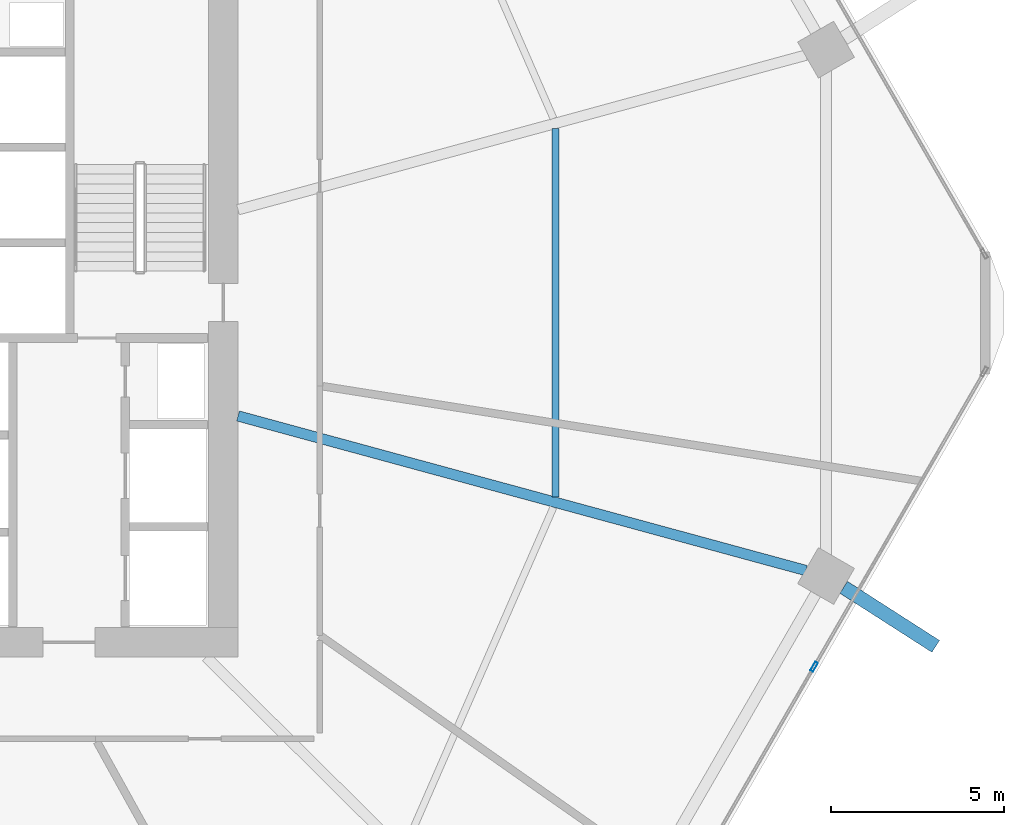
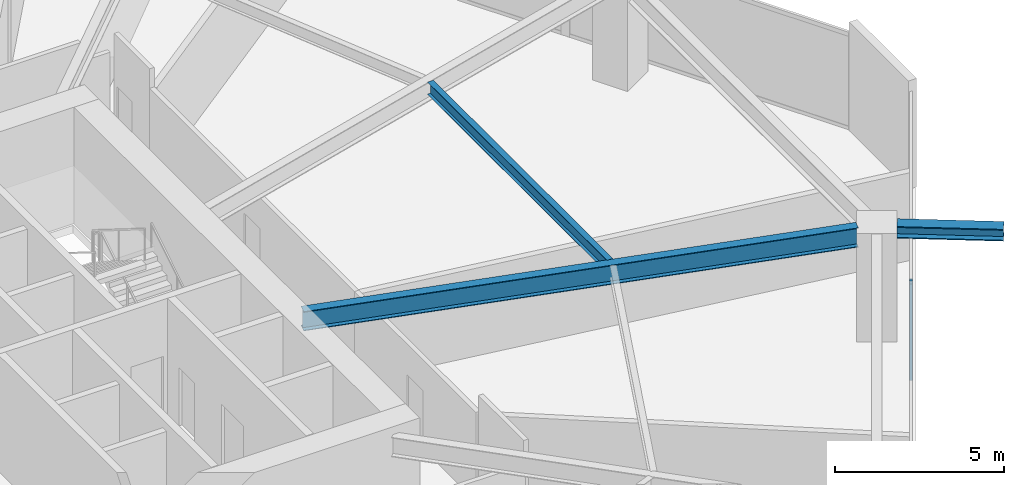
# One storey, part 11 of 26: 3 beams, 1 member, 1 element without a shape of its own.
"""IFC4 building model written with IfcOpenShell, lengths in metres."""

import ifcopenshell
import ifcopenshell.guid

model = None  # the IFC model being written
_history = None  # IfcOwnerHistory: only IFC2X3 demands one
_inside = {}  # id of a spatial element -> (the spatial element, [elements in it])
_under = {}  # id of a project, library or spatial element -> (it, [spatial elements below it])
_declared = {}  # id of a project -> (the project, [libraries it declares])
_typed = {}  # id of a type object -> (the type object, [elements of that type])
_made_of = {}  # id of a material, layer set ... -> (it, [elements and type objects made of it])


def new_model(schema):
    """Start an empty IFC model of exactly this schema.

    Asked for "IFC4X3", IfcOpenShell would pick the latest addendum, in which some entities
    have other attributes; the version numbers below select the first issue.
    IFC2X3 requires an IfcOwnerHistory on every rooted entity: one is made here for all.
    """
    global model, _history
    if schema == "IFC4X3":
        model = ifcopenshell.file(schema_version=(4, 3, 0, 0))
    else:
        model = ifcopenshell.file(schema=schema)
    _inside.clear()
    _under.clear()
    _declared.clear()
    _typed.clear()
    _made_of.clear()
    _history = None
    if model.schema == "IFC2X3":
        org = make("IfcOrganization", Name="unknown")
        user = make(
            "IfcPersonAndOrganization",
            ThePerson=make("IfcPerson", FamilyName="unknown"),
            TheOrganization=org,
        )
        app = make(
            "IfcApplication",
            ApplicationDeveloper=org,
            Version="unknown",
            ApplicationFullName="unknown",
            ApplicationIdentifier="unknown",
        )
        _history = make(
            "IfcOwnerHistory",
            OwningUser=user,
            OwningApplication=app,
            ChangeAction="ADDED",
            CreationDate=0,
        )
    return model


def make(cls, **values):
    """One entity of the class cls with the attributes given. An attribute that is None is left unset."""
    return model.create_entity(
        cls, **{name: value for name, value in values.items() if value is not None}
    )


def rooted(cls, **values):
    """An entity with a GlobalId (a new one), such as an element, a storey or a relation."""
    return make(cls, GlobalId=ifcopenshell.guid.new(), OwnerHistory=_history, **values)


def si_unit(unit_type, name, prefix=None):
    """IfcSIUnit, for example si_unit("LENGTHUNIT", "METRE", prefix="MILLI")."""
    return make("IfcSIUnit", UnitType=unit_type, Prefix=prefix, Name=name)


def assignment(units):
    """IfcUnitAssignment: the units of a project."""
    return None if units is None else make("IfcUnitAssignment", Units=units)


def point(xyz):
    """IfcCartesianPoint."""
    return None if xyz is None else make("IfcCartesianPoint", Coordinates=xyz)


def direction(xyz):
    """IfcDirection."""
    return None if xyz is None else make("IfcDirection", DirectionRatios=xyz)


def frame(location, z_axis=None, x_axis=None):
    """IfcAxis2Placement3D, a coordinate frame: its origin and axes. An axis left out is left unset."""
    return make(
        "IfcAxis2Placement3D",
        Location=point(location),
        Axis=direction(z_axis),
        RefDirection=direction(x_axis),
    )


def frame_2d(location, x_axis=None):
    """IfcAxis2Placement2D, a coordinate frame in the plane: its origin and x axis."""
    return make(
        "IfcAxis2Placement2D", Location=point(location), RefDirection=direction(x_axis)
    )


def origin():
    """The frame at (0, 0, 0) with its axes left unset."""
    return frame((0.0, 0.0, 0.0))


def origin_2d():
    """The frame at (0, 0) in the plane with its x axis left unset."""
    return frame_2d((0.0, 0.0))


def place(relative_to, where):
    """IfcLocalPlacement: puts the frame where relative to a parent placement (None: the world)."""
    return make(
        "IfcLocalPlacement", PlacementRelTo=relative_to, RelativePlacement=where
    )


def context(
    kind, dimensions, precision=None, world=None, true_north=None, identifier=None
):
    """IfcGeometricRepresentationContext, for example the 3D "Model" context."""
    return make(
        "IfcGeometricRepresentationContext",
        ContextIdentifier=identifier,
        ContextType=kind,
        CoordinateSpaceDimension=dimensions,
        Precision=precision,
        WorldCoordinateSystem=world,
        TrueNorth=true_north,
    )


def subcontext(parent, identifier, kind, view, scale=None):
    """IfcGeometricRepresentationSubContext, for example "Body" below "Model"."""
    return make(
        "IfcGeometricRepresentationSubContext",
        ContextIdentifier=identifier,
        ContextType=kind,
        ParentContext=parent,
        TargetScale=scale,
        TargetView=view,
    )


def project(units=None, contexts=None):
    """IfcProject with its units and contexts."""
    return rooted(
        "IfcProject",
        Name="project",
        RepresentationContexts=contexts,
        UnitsInContext=assignment(units),
    )


def spatial(cls, under=None, at=None, **own):
    """A site, building, storey or space (cls), placed at a placement, below another one or the project."""
    s = rooted(cls, ObjectPlacement=at, **own)
    if under is not None:
        _under.setdefault(under.id(), (under, []))[1].append(s)
    return s


def profile(cls, at=None, kind="AREA", **sizes):
    """A parametric profile (cls). Its sizes go by their IFC names, for example OverallWidth=200.0."""
    return make(cls, ProfileType=kind, Position=at, **sizes)


def hollow_rectangle(**sizes):
    """IfcRectangleHollowProfileDef."""
    return profile("IfcRectangleHollowProfileDef", **sizes)


def i_section(**sizes):
    """IfcIShapeProfileDef."""
    return profile("IfcIShapeProfileDef", **sizes)


def extrude(swept, where, along, depth):
    """IfcExtrudedAreaSolid: the profile swept, set in the frame where, extruded along a direction by depth."""
    return make(
        "IfcExtrudedAreaSolid",
        SweptArea=swept,
        Position=where,
        ExtrudedDirection=direction(along),
        Depth=depth,
    )


def shape(context_of_items, identifier, shape_type, items):
    """IfcShapeRepresentation: the items that make up one representation, for example the "Body"."""
    return make(
        "IfcShapeRepresentation",
        ContextOfItems=context_of_items,
        RepresentationIdentifier=identifier,
        RepresentationType=shape_type,
        Items=items,
    )


def material(Name=None, Category=None):
    """IfcMaterial."""
    return make("IfcMaterial", Name=Name, Category=Category)


def material_profile(
    of_material, cross_section, Name=None, Category=None, Priority=None
):
    """IfcMaterialProfile: a cross section and its material."""
    return make(
        "IfcMaterialProfile",
        Name=Name,
        Material=of_material,
        Profile=cross_section,
        Priority=Priority,
        Category=Category,
    )


def profile_set(profiles, Name=None, composite=None):
    """IfcMaterialProfileSet."""
    return make(
        "IfcMaterialProfileSet",
        Name=Name,
        MaterialProfiles=profiles,
        CompositeProfile=composite,
    )


def made_of(thing, what):
    """Note that an element or type object is made of a material, layer set ...; save() writes the relation."""
    if what is not None:
        _made_of.setdefault(what.id(), (what, []))[1].append(thing)
    return thing


def type_object(cls, material=None, **own):
    """A type object (cls), such as IfcWallType, which elements share."""
    return made_of(rooted(cls, **own), material)


def element(
    cls,
    number,
    at=None,
    inside=None,
    cuts=None,
    type_object=None,
    material=None,
    context=None,
    identifier="Body",
    shape_type=None,
    held_by="IfcProductDefinitionShape",
    body=None,
    shapes=None,
    **own,
):
    """One element of the class cls, such as IfcWall. Its Tag is "e" and its number.

    at: its placement. inside: the storey or other place that contains it. cuts: it is an
    opening in that element (IfcRelVoidsElement). A single representation is given by context,
    identifier, shape_type and body (its items); several are given by shapes. held_by: the class
    of the entity that holds the representations. save() writes the other relations.
    """
    e = rooted(cls, Tag="e%d" % number, ObjectPlacement=at, **own)
    if body is not None:
        shapes = [shape(context, identifier, shape_type, body)]
    if shapes is not None:
        e.Representation = make(held_by, Representations=shapes)
    if inside is not None:
        _inside.setdefault(inside.id(), (inside, []))[1].append(e)
    if cuts is not None:
        rooted(
            "IfcRelVoidsElement", RelatingBuildingElement=cuts, RelatedOpeningElement=e
        )
    if type_object is not None:
        _typed.setdefault(type_object.id(), (type_object, []))[1].append(e)
    return made_of(e, material)


def aggregate(whole, parts):
    """IfcRelAggregates: a whole, such as a stair, and the parts it consists of."""
    return rooted("IfcRelAggregates", RelatingObject=whole, RelatedObjects=parts)


def save(model, path):
    """Write the relations noted so far, then the file.

    IfcRelAggregates (storeys below a building ...), IfcRelContainedInSpatialStructure (elements
    in a storey), IfcRelDefinesByType, IfcRelAssociatesMaterial and IfcRelDeclares: one each for
    every whole, place, type object, material and project.
    """
    for whole, parts in _under.values():
        aggregate(whole, parts)
    for where, things in _inside.values():
        rooted(
            "IfcRelContainedInSpatialStructure",
            RelatedElements=things,
            RelatingStructure=where,
        )
    for kind, things in _typed.values():
        rooted("IfcRelDefinesByType", RelatedObjects=things, RelatingType=kind)
    for what, things in _made_of.values():
        rooted("IfcRelAssociatesMaterial", RelatedObjects=things, RelatingMaterial=what)
    for by, libraries in _declared.values():
        rooted("IfcRelDeclares", RelatingContext=by, RelatedDefinitions=libraries)
    model.write(path)


model = new_model("IFC4")

# Units and contexts
model_context = context("Model", 3, precision=1e-05, world=origin(), true_north=direction((0.0, 1.0)))
body_context = subcontext(model_context, "Body", "Model", "MODEL_VIEW")
ifc_project = project(units=[si_unit("LENGTHUNIT", "METRE"), si_unit("AREAUNIT", "SQUARE_METRE"), si_unit("VOLUMEUNIT", "CUBIC_METRE"), si_unit("PLANEANGLEUNIT", "RADIAN"), si_unit("MASSUNIT", "GRAM", prefix="KILO")], contexts=[model_context])

# Site, building, storey
site_placement = place(None, origin())
site = spatial("IfcSite", under=ifc_project, at=site_placement, CompositionType="ELEMENT")
building_placement = place(site_placement, origin())
building = spatial("IfcBuilding", under=site, at=building_placement, Name="Zuhravey Tower", CompositionType="ELEMENT")
storey_placement = place(building_placement, frame((0.0, 0.0, 28.800048828125)))
storey = spatial("IfcBuildingStorey", under=building, at=storey_placement, Name="L07", CompositionType="ELEMENT", Elevation=28.800048828125)

# Curtain wall, member
ifc_material_1 = material(Name="Thermally broken anodised aluminium", Category="aluminium")
curtain_wall_type = type_object("IfcCurtainWallType", Name="School Low-E Unitised Curtain Wall CW1", PredefinedType="NOTDEFINED", material=ifc_material_1)
curtain_wall_placement = place(storey_placement, origin())
curtain_wall = element("IfcCurtainWall", 1, at=curtain_wall_placement, inside=storey, type_object=curtain_wall_type, Name="L07 CW1 CW-L07-F6-1", PredefinedType="NOTDEFINED")
ifc_material_2 = material(Name="Anodised aluminium", Category="aluminium")
ifc_material_profile_1 = material_profile(ifc_material_2, hollow_rectangle(XDim=0.090087890625, YDim=0.284912109375, WallThickness=0.0048828125, at=origin_2d()), Name="ALU-RHS-90x285x5")
ifc_profile_set_1 = profile_set([ifc_material_profile_1], Name="Anodised aluminium")
member_type = type_object("IfcMemberType", Name="Curtain-Wall Mullion 90x180", PredefinedType="MULLION", material=ifc_profile_set_1)
member_placement = place(storey_placement, frame((63.54541015625, 21.79296875, 0.0), z_axis=(0.0, 0.0, 1.0), x_axis=(0.86602552265, -0.499999794119, 0.0)))
member = element("IfcMember", 2, at=member_placement, type_object=member_type, Name="CW1 mullion 2", PredefinedType="MULLION", context=body_context, shape_type="SweptSolid", body=[
    extrude(hollow_rectangle(XDim=0.090087890625, YDim=0.284912109375, WallThickness=0.0048828125, at=origin_2d()), origin(), (0.0, 0.0, 1.0), 3.491943359375),
])
aggregate(curtain_wall, [member])

# Beams
ifc_material_3 = material(Name="Steel SM460", Category="steel")
ifc_material_profile_2 = material_profile(ifc_material_3, i_section(OverallWidth=0.406982421875, OverallDepth=0.427978515625, WebThickness=0.02001953125, FlangeThickness=0.034912109375, at=origin_2d()), Name="H-428x407x20x35")
ifc_profile_set_2 = profile_set([ifc_material_profile_2], Name="Steel SM460")
beam_type_1 = type_object("IfcBeamType", Name="Exoskeleton Node Tie Beam H428x407", PredefinedType="BEAM", material=ifc_profile_set_2)
beam_1_placement = place(storey_placement, frame((64.39794921875, 24.08203125, 3.7060546875), z_axis=(0.841731244747, -0.539896760147, 0.0), x_axis=(0.539896760147, 0.841731244747, 0.0)))
element("IfcBeam", 3, at=beam_1_placement, inside=storey, type_object=beam_type_1, Name="L07 Exoskeleton Node Tie NT1-12", PredefinedType="BEAM", context=body_context, shape_type="SweptSolid", body=[
    extrude(i_section(OverallWidth=0.406982421875, OverallDepth=0.427978515625, WebThickness=0.02001953125, FlangeThickness=0.034912109375, at=origin_2d()), origin(), (0.0, 0.0, 1.0), 3.154541015625),
])
ifc_material_4 = material(Name="Steel SM355", Category="steel")
ifc_material_profile_3 = material_profile(ifc_material_4, i_section(OverallWidth=0.300048828125, OverallDepth=0.699951171875, WebThickness=0.012939453125, FlangeThickness=0.02392578125, at=origin_2d()), Name="H-700x300x13x24")
ifc_profile_set_3 = profile_set([ifc_material_profile_3], Name="Steel SM355")
beam_type_2 = type_object("IfcBeamType", Name="Radial Primary Girder H700x300", PredefinedType="BEAM", material=ifc_profile_set_3)
beam_2_placement = place(storey_placement, frame((46.927978515625, 29.025390625, 3.570068359375), z_axis=(0.964892480455, -0.26264520015, 0.0), x_axis=(0.26264520015, 0.964892480455, 0.0)))
element("IfcBeam", 4, at=beam_2_placement, inside=storey, type_object=beam_type_2, Name="L07 RG1 BM-L07-RAD-12", PredefinedType="BEAM", context=body_context, shape_type="SweptSolid", body=[
    extrude(i_section(OverallWidth=0.300048828125, OverallDepth=0.699951171875, WebThickness=0.012939453125, FlangeThickness=0.02392578125, at=origin_2d()), origin(), (0.0, 0.0, 1.0), 16.975341796875),
])
ifc_material_profile_4 = material_profile(ifc_material_4, i_section(OverallWidth=0.199951171875, OverallDepth=0.449951171875, WebThickness=0.009033203125, FlangeThickness=0.013916015625, at=origin_2d()), Name="H-450x200x9x14")
ifc_profile_set_4 = profile_set([ifc_material_profile_4], Name="Steel SM355")
beam_type_3 = type_object("IfcBeamType", Name="Secondary Floor Joist H450x200", PredefinedType="JOIST", material=ifc_profile_set_4)
beam_3_placement = place(storey_placement, frame((56.0869140625, 26.686279296875, 3.695068359375), z_axis=(0.0, 1.0, 0.0), x_axis=(-1.0, 0.0, 0.0)))
element("IfcBeam", 5, at=beam_3_placement, inside=storey, type_object=beam_type_3, Name="L07 SJ1 BM-L07-SJ-12-1", PredefinedType="JOIST", context=body_context, shape_type="SweptSolid", body=[
    extrude(i_section(OverallWidth=0.199951171875, OverallDepth=0.449951171875, WebThickness=0.009033203125, FlangeThickness=0.013916015625, at=origin_2d()), origin(), (0.0, 0.0, 1.0), 10.62744140625),
])

save(model, "model.ifc")
